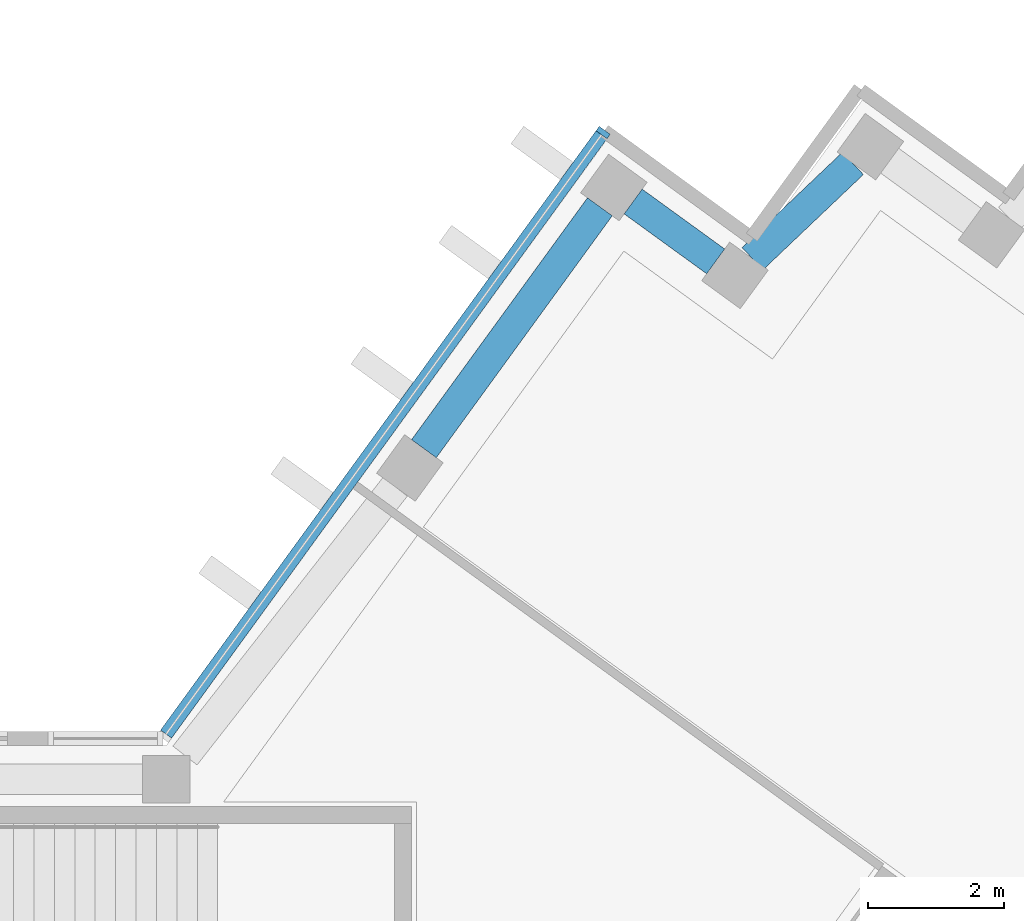
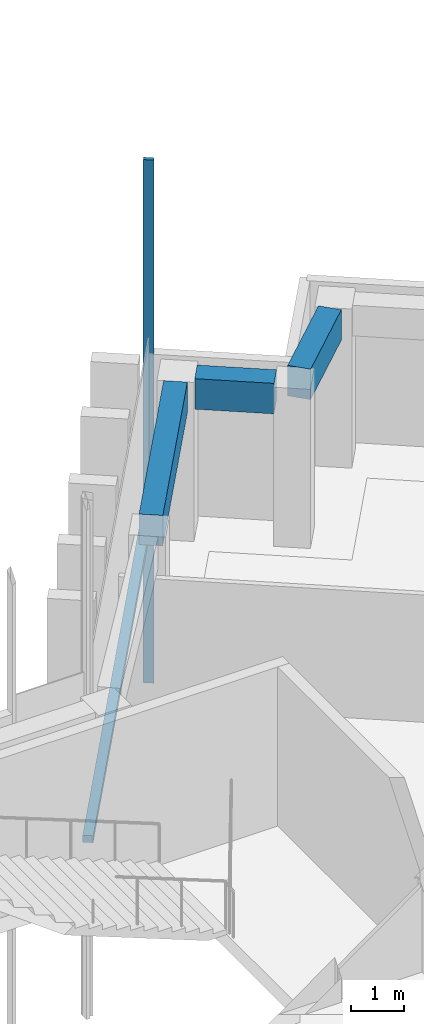
# One storey, part 4 of 14: 3 beams, 2 members, 1 element without a shape of its own.
"""IFC4 building model written with IfcOpenShell, lengths in metres."""

import ifcopenshell
import ifcopenshell.guid

model = None  # the IFC model being written
_history = None  # IfcOwnerHistory: only IFC2X3 demands one
_inside = {}  # id of a spatial element -> (the spatial element, [elements in it])
_under = {}  # id of a project, library or spatial element -> (it, [spatial elements below it])
_declared = {}  # id of a project -> (the project, [libraries it declares])
_typed = {}  # id of a type object -> (the type object, [elements of that type])
_made_of = {}  # id of a material, layer set ... -> (it, [elements and type objects made of it])


def new_model(schema):
    """Start an empty IFC model of exactly this schema.

    Asked for "IFC4X3", IfcOpenShell would pick the latest addendum, in which some entities
    have other attributes; the version numbers below select the first issue.
    IFC2X3 requires an IfcOwnerHistory on every rooted entity: one is made here for all.
    """
    global model, _history
    if schema == "IFC4X3":
        model = ifcopenshell.file(schema_version=(4, 3, 0, 0))
    else:
        model = ifcopenshell.file(schema=schema)
    _inside.clear()
    _under.clear()
    _declared.clear()
    _typed.clear()
    _made_of.clear()
    _history = None
    if model.schema == "IFC2X3":
        org = make("IfcOrganization", Name="unknown")
        user = make(
            "IfcPersonAndOrganization",
            ThePerson=make("IfcPerson", FamilyName="unknown"),
            TheOrganization=org,
        )
        app = make(
            "IfcApplication",
            ApplicationDeveloper=org,
            Version="unknown",
            ApplicationFullName="unknown",
            ApplicationIdentifier="unknown",
        )
        _history = make(
            "IfcOwnerHistory",
            OwningUser=user,
            OwningApplication=app,
            ChangeAction="ADDED",
            CreationDate=0,
        )
    return model


def make(cls, **values):
    """One entity of the class cls with the attributes given. An attribute that is None is left unset."""
    return model.create_entity(
        cls, **{name: value for name, value in values.items() if value is not None}
    )


def rooted(cls, **values):
    """An entity with a GlobalId (a new one), such as an element, a storey or a relation."""
    return make(cls, GlobalId=ifcopenshell.guid.new(), OwnerHistory=_history, **values)


def si_unit(unit_type, name, prefix=None):
    """IfcSIUnit, for example si_unit("LENGTHUNIT", "METRE", prefix="MILLI")."""
    return make("IfcSIUnit", UnitType=unit_type, Prefix=prefix, Name=name)


def assignment(units):
    """IfcUnitAssignment: the units of a project."""
    return None if units is None else make("IfcUnitAssignment", Units=units)


def point(xyz):
    """IfcCartesianPoint."""
    return None if xyz is None else make("IfcCartesianPoint", Coordinates=xyz)


def direction(xyz):
    """IfcDirection."""
    return None if xyz is None else make("IfcDirection", DirectionRatios=xyz)


def frame(location, z_axis=None, x_axis=None):
    """IfcAxis2Placement3D, a coordinate frame: its origin and axes. An axis left out is left unset."""
    return make(
        "IfcAxis2Placement3D",
        Location=point(location),
        Axis=direction(z_axis),
        RefDirection=direction(x_axis),
    )


def frame_2d(location, x_axis=None):
    """IfcAxis2Placement2D, a coordinate frame in the plane: its origin and x axis."""
    return make(
        "IfcAxis2Placement2D", Location=point(location), RefDirection=direction(x_axis)
    )


def origin():
    """The frame at (0, 0, 0) with its axes left unset."""
    return frame((0.0, 0.0, 0.0))


def origin_2d():
    """The frame at (0, 0) in the plane with its x axis left unset."""
    return frame_2d((0.0, 0.0))


def place(relative_to, where):
    """IfcLocalPlacement: puts the frame where relative to a parent placement (None: the world)."""
    return make(
        "IfcLocalPlacement", PlacementRelTo=relative_to, RelativePlacement=where
    )


def context(
    kind, dimensions, precision=None, world=None, true_north=None, identifier=None
):
    """IfcGeometricRepresentationContext, for example the 3D "Model" context."""
    return make(
        "IfcGeometricRepresentationContext",
        ContextIdentifier=identifier,
        ContextType=kind,
        CoordinateSpaceDimension=dimensions,
        Precision=precision,
        WorldCoordinateSystem=world,
        TrueNorth=true_north,
    )


def subcontext(parent, identifier, kind, view, scale=None):
    """IfcGeometricRepresentationSubContext, for example "Body" below "Model"."""
    return make(
        "IfcGeometricRepresentationSubContext",
        ContextIdentifier=identifier,
        ContextType=kind,
        ParentContext=parent,
        TargetScale=scale,
        TargetView=view,
    )


def project(units=None, contexts=None):
    """IfcProject with its units and contexts."""
    return rooted(
        "IfcProject",
        Name="project",
        RepresentationContexts=contexts,
        UnitsInContext=assignment(units),
    )


def spatial(cls, under=None, at=None, **own):
    """A site, building, storey or space (cls), placed at a placement, below another one or the project."""
    s = rooted(cls, ObjectPlacement=at, **own)
    if under is not None:
        _under.setdefault(under.id(), (under, []))[1].append(s)
    return s


def profile(cls, at=None, kind="AREA", **sizes):
    """A parametric profile (cls). Its sizes go by their IFC names, for example OverallWidth=200.0."""
    return make(cls, ProfileType=kind, Position=at, **sizes)


def rectangle(**sizes):
    """IfcRectangleProfileDef."""
    return profile("IfcRectangleProfileDef", **sizes)


def extrude(swept, where, along, depth):
    """IfcExtrudedAreaSolid: the profile swept, set in the frame where, extruded along a direction by depth."""
    return make(
        "IfcExtrudedAreaSolid",
        SweptArea=swept,
        Position=where,
        ExtrudedDirection=direction(along),
        Depth=depth,
    )


def shape(context_of_items, identifier, shape_type, items):
    """IfcShapeRepresentation: the items that make up one representation, for example the "Body"."""
    return make(
        "IfcShapeRepresentation",
        ContextOfItems=context_of_items,
        RepresentationIdentifier=identifier,
        RepresentationType=shape_type,
        Items=items,
    )


def material(Name=None, Category=None):
    """IfcMaterial."""
    return make("IfcMaterial", Name=Name, Category=Category)


def material_profile(
    of_material, cross_section, Name=None, Category=None, Priority=None
):
    """IfcMaterialProfile: a cross section and its material."""
    return make(
        "IfcMaterialProfile",
        Name=Name,
        Material=of_material,
        Profile=cross_section,
        Priority=Priority,
        Category=Category,
    )


def profile_set(profiles, Name=None, composite=None):
    """IfcMaterialProfileSet."""
    return make(
        "IfcMaterialProfileSet",
        Name=Name,
        MaterialProfiles=profiles,
        CompositeProfile=composite,
    )


def made_of(thing, what):
    """Note that an element or type object is made of a material, layer set ...; save() writes the relation."""
    if what is not None:
        _made_of.setdefault(what.id(), (what, []))[1].append(thing)
    return thing


def type_object(cls, material=None, **own):
    """A type object (cls), such as IfcWallType, which elements share."""
    return made_of(rooted(cls, **own), material)


def element(
    cls,
    number,
    at=None,
    inside=None,
    cuts=None,
    type_object=None,
    material=None,
    context=None,
    identifier="Body",
    shape_type=None,
    held_by="IfcProductDefinitionShape",
    body=None,
    shapes=None,
    **own,
):
    """One element of the class cls, such as IfcWall. Its Tag is "e" and its number.

    at: its placement. inside: the storey or other place that contains it. cuts: it is an
    opening in that element (IfcRelVoidsElement). A single representation is given by context,
    identifier, shape_type and body (its items); several are given by shapes. held_by: the class
    of the entity that holds the representations. save() writes the other relations.
    """
    e = rooted(cls, Tag="e%d" % number, ObjectPlacement=at, **own)
    if body is not None:
        shapes = [shape(context, identifier, shape_type, body)]
    if shapes is not None:
        e.Representation = make(held_by, Representations=shapes)
    if inside is not None:
        _inside.setdefault(inside.id(), (inside, []))[1].append(e)
    if cuts is not None:
        rooted(
            "IfcRelVoidsElement", RelatingBuildingElement=cuts, RelatedOpeningElement=e
        )
    if type_object is not None:
        _typed.setdefault(type_object.id(), (type_object, []))[1].append(e)
    return made_of(e, material)


def aggregate(whole, parts):
    """IfcRelAggregates: a whole, such as a stair, and the parts it consists of."""
    return rooted("IfcRelAggregates", RelatingObject=whole, RelatedObjects=parts)


def save(model, path):
    """Write the relations noted so far, then the file.

    IfcRelAggregates (storeys below a building ...), IfcRelContainedInSpatialStructure (elements
    in a storey), IfcRelDefinesByType, IfcRelAssociatesMaterial and IfcRelDeclares: one each for
    every whole, place, type object, material and project.
    """
    for whole, parts in _under.values():
        aggregate(whole, parts)
    for where, things in _inside.values():
        rooted(
            "IfcRelContainedInSpatialStructure",
            RelatedElements=things,
            RelatingStructure=where,
        )
    for kind, things in _typed.values():
        rooted("IfcRelDefinesByType", RelatedObjects=things, RelatingType=kind)
    for what, things in _made_of.values():
        rooted("IfcRelAssociatesMaterial", RelatedObjects=things, RelatingMaterial=what)
    for by, libraries in _declared.values():
        rooted("IfcRelDeclares", RelatingContext=by, RelatedDefinitions=libraries)
    model.write(path)


model = new_model("IFC4")

# Units and contexts
model_context = context("Model", 3, precision=1e-05, world=origin(), true_north=direction((0.0, 1.0)))
body_context = subcontext(model_context, "Body", "Model", "MODEL_VIEW")
ifc_project = project(units=[si_unit("LENGTHUNIT", "METRE"), si_unit("AREAUNIT", "SQUARE_METRE"), si_unit("VOLUMEUNIT", "CUBIC_METRE"), si_unit("PLANEANGLEUNIT", "RADIAN"), si_unit("MASSUNIT", "GRAM", prefix="KILO")], contexts=[model_context])

# Site, building, storey
site_placement = place(None, origin())
site = spatial("IfcSite", under=ifc_project, at=site_placement, CompositionType="ELEMENT")
building_placement = place(site_placement, origin())
building = spatial("IfcBuilding", under=site, at=building_placement, Name="Quipu Civic Tower", CompositionType="ELEMENT")
storey_placement = place(building_placement, frame((0.0, 0.0, 311.0)))
storey = spatial("IfcBuildingStorey", under=building, at=storey_placement, Name="L72", CompositionType="ELEMENT", Elevation=311.0)

# Curtain wall, member
ifc_material_1 = material(Name="Insulated glass unit", Category="glass")
curtain_wall_type = type_object("IfcCurtainWallType", Name="Office curtain wall CW1", PredefinedType="NOTDEFINED", material=ifc_material_1)
curtain_wall_placement = place(storey_placement, origin())
curtain_wall = element("IfcCurtainWall", 1, at=curtain_wall_placement, inside=storey, type_object=curtain_wall_type, Name="Office curtain wall CW1 L71 run 11", PredefinedType="NOTDEFINED")
ifc_material_2 = material(Name="Anodised aluminium", Category="aluminium")
ifc_material_profile_1 = material_profile(ifc_material_2, rectangle(XDim=0.199951171875, YDim=0.080078125, at=origin_2d()), Name="RECT 200x80")
ifc_profile_set_1 = profile_set([ifc_material_profile_1], Name="Anodised aluminium")
member_type_1 = type_object("IfcMemberType", Name="Mullion CW1", PredefinedType="MULLION", material=ifc_profile_set_1)
member_1_placement = place(storey_placement, frame((20.8125, 20.002685546875, -3.919921875), z_axis=(0.0, 0.0, 1.0), x_axis=(0.809015163947, -0.587787771652, 0.0)))
member_1 = element("IfcMember", 2, at=member_1_placement, type_object=member_type_1, Name="CW1 mullion 1", PredefinedType="MULLION", context=body_context, shape_type="SweptSolid", body=[
    extrude(rectangle(XDim=0.199951171875, YDim=0.080078125, at=origin_2d()), origin(), (0.0, 0.0, 1.0), 12.0),
])

# Beams
ifc_material_3 = material(Name="Concrete C50/60", Category="concrete")
ifc_material_profile_2 = material_profile(ifc_material_3, rectangle(XDim=0.449951171875, YDim=0.699951171875, at=origin_2d()), Name="RC450x700")
ifc_profile_set_2 = profile_set([ifc_material_profile_2], Name="Concrete C50/60")
beam_type = type_object("IfcBeamType", Name="Spandrel beam RC 450x700 C50/60", PredefinedType="SPANDREL", material=ifc_profile_set_2)
beam_1_placement = place(storey_placement, frame((24.48193359375, 19.5498046875, 3.300048828125), z_axis=(-0.72511931772, -0.6886232461, 0.0), x_axis=(0.6886232461, -0.72511931772, 0.0)))
element("IfcBeam", 3, at=beam_1_placement, inside=storey, type_object=beam_type, Name="Spandrel beam L72 T-Ei.2-E22 to T-Ei.3-E22", PredefinedType="SPANDREL", context=body_context, shape_type="SweptSolid", body=[
    extrude(rectangle(XDim=0.449951171875, YDim=0.699951171875, at=origin_2d()), origin(), (0.0, 0.0, 1.0), 2.03369140625),
])
beam_2_placement = place(storey_placement, frame((22.466064453125, 18.10986328125, 3.300048828125), z_axis=(-0.809461336076, 0.587173181776, 0.0), x_axis=(-0.587173181776, -0.809461336076, 0.0)))
element("IfcBeam", 4, at=beam_2_placement, inside=storey, type_object=beam_type, Name="Spandrel beam L72 T-Ei.3-E22 to T-Ei.4-E22", PredefinedType="SPANDREL", context=body_context, shape_type="SweptSolid", body=[
    extrude(rectangle(XDim=0.449951171875, YDim=0.699951171875, at=origin_2d()), origin(), (0.0, 0.0, 1.0), 1.498046875),
])
beam_3_placement = place(storey_placement, frame((20.76416015625, 18.911865234375, 3.300048828125), z_axis=(-0.588201428764, -0.808714460857, 0.0), x_axis=(0.808714460857, -0.588201428764, 0.0)))
element("IfcBeam", 5, at=beam_3_placement, inside=storey, type_object=beam_type, Name="Spandrel beam L72 T-Ei.4-E22 to E-IN-01", PredefinedType="SPANDREL", context=body_context, shape_type="SweptSolid", body=[
    extrude(rectangle(XDim=0.449951171875, YDim=0.699951171875, at=origin_2d()), origin(), (0.0, 0.0, 1.0), 4.394287109375),
])

# Member
ifc_material_4 = material(Name="Anodised aluminium", Category="aluminium")
ifc_material_profile_3 = material_profile(ifc_material_4, rectangle(XDim=0.199951171875, YDim=0.159912109375, at=origin_2d()), Name="RECT 200x160")
ifc_profile_set_3 = profile_set([ifc_material_profile_3], Name="Anodised aluminium")
member_type_2 = type_object("IfcMemberType", Name="Transom CW1", PredefinedType="USERDEFINED", material=ifc_profile_set_3)
member_2_placement = place(storey_placement, frame((20.788818359375, 19.97021484375, 0.080078125), z_axis=(-0.587796859727, -0.809008560953, 0.0), x_axis=(0.809008560953, -0.587796859727, 0.0)))
member_2 = element("IfcMember", 6, at=member_2_placement, type_object=member_type_2, Name="CW1 transom 1.2", ObjectType="TRANSOM", PredefinedType="USERDEFINED", context=body_context, shape_type="SweptSolid", body=[
    extrude(rectangle(XDim=0.199951171875, YDim=0.159912109375, at=origin_2d()), origin(), (0.0, 0.0, 1.0), 10.88427734375),
])

aggregate(curtain_wall, [member_1, member_2])

save(model, "model.ifc")
